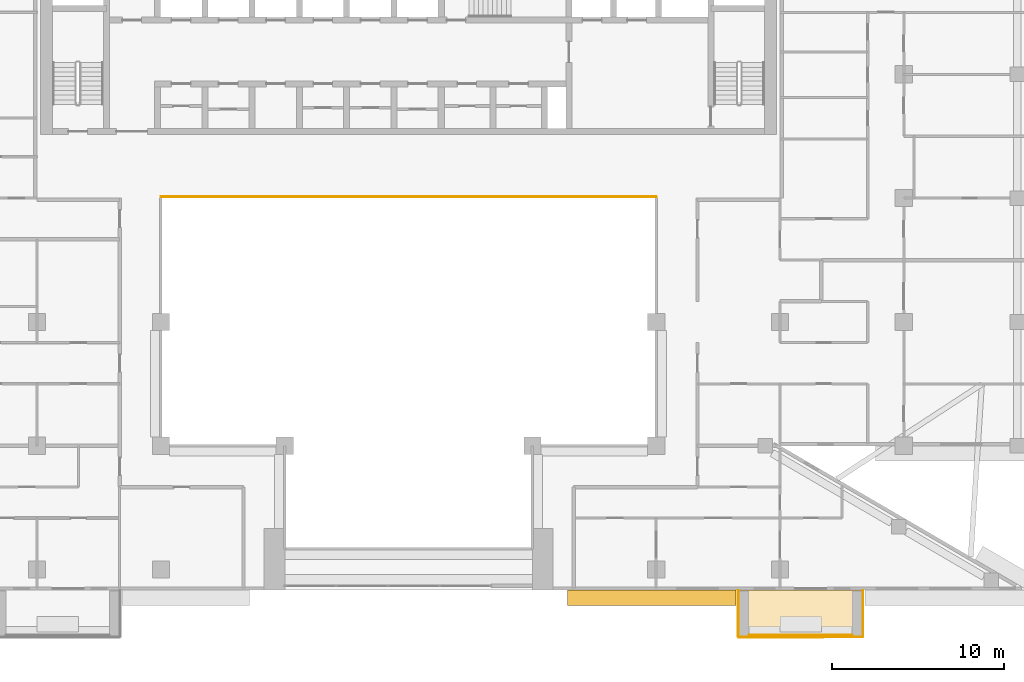
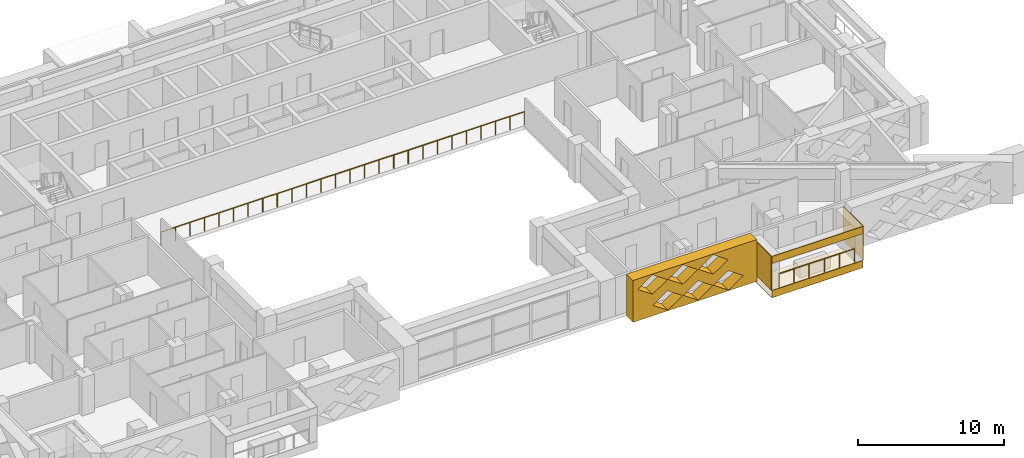
# One storey, part 16 of 20: 6 coverings, 2 railings.
"""IFC4 building model written with IfcOpenShell, lengths in metres."""

from ifc_helpers import new_model, si_unit, direction, frame, origin, origin_2d, place, context, subcontext, project, spatial, polyline, circle, outline, extrude, material, layer, layer_set, type_object, element, save


model = new_model("IFC4")

# Units and contexts
model_context = context("Model", 3, precision=1e-05, world=origin(), true_north=direction((0.0, 1.0)))
body_context = subcontext(model_context, "Body", "Model", "MODEL_VIEW")
ifc_project = project(units=[si_unit("LENGTHUNIT", "METRE"), si_unit("AREAUNIT", "SQUARE_METRE"), si_unit("VOLUMEUNIT", "CUBIC_METRE"), si_unit("PLANEANGLEUNIT", "RADIAN"), si_unit("MASSUNIT", "GRAM", prefix="KILO")], contexts=[model_context])

# Site, building, storey
site_placement = place(None, origin())
site = spatial("IfcSite", under=ifc_project, at=site_placement, CompositionType="ELEMENT")
building_placement = place(site_placement, origin())
building = spatial("IfcBuilding", under=site, at=building_placement, Name="Saffron Iwan Residences", CompositionType="ELEMENT")
storey_placement = place(building_placement, frame((0.0, 0.0, 146.5)))
storey = spatial("IfcBuildingStorey", under=building, at=storey_placement, Name="L38", CompositionType="ELEMENT", Elevation=146.5)

# Railings
ifc_material_1 = material(Name="Stainless steel 316", Category="steel")
railing_type_1 = type_object("IfcRailingType", Name="Atrium guard 1150", PredefinedType="GUARDRAIL", material=ifc_material_1)
railing_1_placement = place(storey_placement, frame((36.0, 62.47509765625, 0.0)))
element("IfcRailing", 1, at=railing_1_placement, inside=storey, type_object=railing_type_1, Name="Atrium guard L38", PredefinedType="GUARDRAIL", context=body_context, shape_type="SweptSolid", body=[
    extrude(circle(Radius=0.02392578125, at=origin_2d()), frame((0.0, 0.0, 1.1259765625), z_axis=(1.0, 0.0, 0.0), x_axis=(0.0, 1.0, 0.0)), (0.0, 0.0, 1.0), 28.800048828125),
    extrude(circle(Radius=0.02099609375, at=origin_2d()), origin(), (0.0, 0.0, 1.0), 1.101806640625),
    extrude(circle(Radius=0.02099609375, at=origin_2d()), frame((1.152099609375, 0.0, 0.0)), (0.0, 0.0, 1.0), 1.101806640625),
    extrude(circle(Radius=0.02099609375, at=origin_2d()), frame((2.303955078125, 0.0, 0.0)), (0.0, 0.0, 1.0), 1.101806640625),
    extrude(circle(Radius=0.02099609375, at=origin_2d()), frame((3.4560546875, 0.0, 0.0)), (0.0, 0.0, 1.0), 1.101806640625),
    extrude(circle(Radius=0.02099609375, at=origin_2d()), frame((4.60791015625, 0.0, 0.0)), (0.0, 0.0, 1.0), 1.101806640625),
    extrude(circle(Radius=0.02099609375, at=origin_2d()), frame((5.760009765625, 0.0, 0.0)), (0.0, 0.0, 1.0), 1.101806640625),
    extrude(circle(Radius=0.02099609375, at=origin_2d()), frame((6.912109375, 0.0, 0.0)), (0.0, 0.0, 1.0), 1.101806640625),
    extrude(circle(Radius=0.02099609375, at=origin_2d()), frame((8.06396484375, 0.0, 0.0)), (0.0, 0.0, 1.0), 1.101806640625),
    extrude(circle(Radius=0.02099609375, at=origin_2d()), frame((9.216064453125, 0.0, 0.0)), (0.0, 0.0, 1.0), 1.101806640625),
    extrude(circle(Radius=0.02099609375, at=origin_2d()), frame((10.367919921875, 0.0, 0.0)), (0.0, 0.0, 1.0), 1.101806640625),
    extrude(circle(Radius=0.02099609375, at=origin_2d()), frame((11.52001953125, 0.0, 0.0)), (0.0, 0.0, 1.0), 1.101806640625),
    extrude(circle(Radius=0.02099609375, at=origin_2d()), frame((12.672119140625, 0.0, 0.0)), (0.0, 0.0, 1.0), 1.101806640625),
    extrude(circle(Radius=0.02099609375, at=origin_2d()), frame((13.823974609375, 0.0, 0.0)), (0.0, 0.0, 1.0), 1.101806640625),
    extrude(circle(Radius=0.02099609375, at=origin_2d()), frame((14.97607421875, 0.0, 0.0)), (0.0, 0.0, 1.0), 1.101806640625),
    extrude(circle(Radius=0.02099609375, at=origin_2d()), frame((16.1279296875, 0.0, 0.0)), (0.0, 0.0, 1.0), 1.101806640625),
    extrude(circle(Radius=0.02099609375, at=origin_2d()), frame((17.280029296875, 0.0, 0.0)), (0.0, 0.0, 1.0), 1.101806640625),
    extrude(circle(Radius=0.02099609375, at=origin_2d()), frame((18.43212890625, 0.0, 0.0)), (0.0, 0.0, 1.0), 1.101806640625),
    extrude(circle(Radius=0.02099609375, at=origin_2d()), frame((19.583984375, 0.0, 0.0)), (0.0, 0.0, 1.0), 1.101806640625),
    extrude(circle(Radius=0.02099609375, at=origin_2d()), frame((20.736083984375, 0.0, 0.0)), (0.0, 0.0, 1.0), 1.101806640625),
    extrude(circle(Radius=0.02099609375, at=origin_2d()), frame((21.887939453125, 0.0, 0.0)), (0.0, 0.0, 1.0), 1.101806640625),
    extrude(circle(Radius=0.02099609375, at=origin_2d()), frame((23.0400390625, 0.0, 0.0)), (0.0, 0.0, 1.0), 1.101806640625),
    extrude(circle(Radius=0.02099609375, at=origin_2d()), frame((24.192138671875, 0.0, 0.0)), (0.0, 0.0, 1.0), 1.101806640625),
    extrude(circle(Radius=0.02099609375, at=origin_2d()), frame((25.343994140625, 0.0, 0.0)), (0.0, 0.0, 1.0), 1.101806640625),
    extrude(circle(Radius=0.02099609375, at=origin_2d()), frame((26.49609375, 0.0, 0.0)), (0.0, 0.0, 1.0), 1.101806640625),
    extrude(circle(Radius=0.02099609375, at=origin_2d()), frame((27.64794921875, 0.0, 0.0)), (0.0, 0.0, 1.0), 1.101806640625),
    extrude(circle(Radius=0.02099609375, at=origin_2d()), frame((28.800048828125, 0.0, 0.0)), (0.0, 0.0, 1.0), 1.101806640625),
])
railing_type_2 = type_object("IfcRailingType", Name="BALCONY GUARD 1150", PredefinedType="GUARDRAIL", material=ifc_material_1)
railing_2_placement = place(storey_placement, frame((70.199951171875, 36.97509765625, 0.0)))
element("IfcRailing", 2, at=railing_2_placement, inside=storey, type_object=railing_type_2, Name="Balcony guard L38 11-1", PredefinedType="GUARDRAIL", context=body_context, shape_type="SweptSolid", body=[
    extrude(circle(Radius=0.02392578125, at=origin_2d()), frame((0.0, 0.0, 1.1259765625), z_axis=(1.0, 0.0, 0.0), x_axis=(0.0, 1.0, 0.0)), (0.0, 0.0, 1.0), 6.0),
    extrude(circle(Radius=0.02099609375, at=origin_2d()), origin(), (0.0, 0.0, 1.0), 1.101806640625),
    extrude(circle(Radius=0.02099609375, at=origin_2d()), frame((1.199951171875, 0.0, 0.0)), (0.0, 0.0, 1.0), 1.101806640625),
    extrude(circle(Radius=0.02099609375, at=origin_2d()), frame((2.39990234375, 0.0, 0.0)), (0.0, 0.0, 1.0), 1.101806640625),
    extrude(circle(Radius=0.02099609375, at=origin_2d()), frame((3.60009765625, 0.0, 0.0)), (0.0, 0.0, 1.0), 1.101806640625),
    extrude(circle(Radius=0.02099609375, at=origin_2d()), frame((4.800048828125, 0.0, 0.0)), (0.0, 0.0, 1.0), 1.101806640625),
    extrude(circle(Radius=0.02099609375, at=origin_2d()), frame((6.0, 0.0, 0.0)), (0.0, 0.0, 1.0), 1.101806640625),
])

# Coverings
ifc_material_2 = material(Name="Precast concrete C40/50 white painted", Category="concrete")
ifc_layer = layer(ifc_material_2, 0.050048828125)
ifc_layer_set = layer_set([ifc_layer], Name="Precast concrete C40/50 white painted")
covering_type_1 = type_object("IfcCoveringType", Name="FRAME SKIN PRECAST WHITE 50", PredefinedType="CLADDING", material=ifc_layer_set)
for number, where, name in (
    (3, (0.0, 0.0, -0.60009765625), "Frame skin slab edge L38 11-1"),
    (4, (0.0, 0.0, 2.25), "Frame skin fascia L38 11-1"),
):
    element("IfcCovering", number, at=place(storey_placement, frame(where)), inside=storey, type_object=covering_type_1, Name=name, PredefinedType="CLADDING", context=body_context, shape_type="SweptSolid", body=[
        extrude(outline(polyline([(69.60009765625, 36.85009765625), (76.800048828125, 36.85009765625), (76.800048828125, 36.89990234375), (69.60009765625, 36.89990234375), (69.60009765625, 36.85009765625)])), origin(), (0.0, 0.0, 1.0), 0.60009765625),
    ])
covering_1_placement = place(storey_placement, frame((0.0, 0.0, -0.64990234375)))
element("IfcCovering", 5, at=covering_1_placement, inside=storey, type_object=covering_type_1, Name="Frame skin soffit L38 11-1", PredefinedType="CLADDING", context=body_context, shape_type="SweptSolid", body=[
    extrude(outline(polyline([(69.60009765625, 36.89990234375), (76.800048828125, 36.89990234375), (76.800048828125, 39.60009765625), (69.60009765625, 39.60009765625), (69.60009765625, 36.89990234375)])), origin(), (0.0, 0.0, 1.0), 0.0498046875),
])
covering_2_placement = place(storey_placement, origin())
element("IfcCovering", 6, at=covering_2_placement, inside=storey, type_object=covering_type_1, Name="Frame skin fin L38 11-1a", PredefinedType="CLADDING", context=body_context, shape_type="SweptSolid", body=[
    extrude(outline(polyline([(69.550048828125, 36.89990234375), (69.60009765625, 36.89990234375), (69.60009765625, 39.60009765625), (69.550048828125, 39.60009765625), (69.550048828125, 36.89990234375)])), origin(), (0.0, 0.0, 1.0), 2.85009765625),
])
covering_3_placement = place(storey_placement, origin())
element("IfcCovering", 7, at=covering_3_placement, inside=storey, type_object=covering_type_1, Name="Frame skin fin L38 11-1b", PredefinedType="CLADDING", context=body_context, shape_type="SweptSolid", body=[
    extrude(outline(polyline([(76.800048828125, 36.89990234375), (76.85009765625, 36.89990234375), (76.85009765625, 39.60009765625), (76.800048828125, 39.60009765625), (76.800048828125, 36.89990234375)])), origin(), (0.0, 0.0, 1.0), 2.85009765625),
])
ifc_material_3 = material(Name="Precast concrete C40/50", Category="concrete")
covering_type_2 = type_object("IfcCoveringType", Name="OUTER SKIN LATTICE SCREEN", PredefinedType="CLADDING", material=ifc_material_3)
covering_4_placement = place(storey_placement, frame((59.64990234375, 39.60009765625, -0.300048828125), z_axis=(0.0, -1.0, 0.0), x_axis=(1.0, 0.0, 0.0)))
element("IfcCovering", 8, at=covering_4_placement, inside=storey, type_object=covering_type_2, Name="OUTER SKIN lattice screen L38 F11.2", PredefinedType="CLADDING", context=body_context, shape_type="SweptSolid", body=[
    extrude(outline(polyline([(0.0, 0.0), (9.800048828125, 0.0), (9.800048828125, 3.5), (0.0, 3.5), (0.0, 0.0)]), holes=[polyline([(1.570068359375, 0.875), (2.75, 0.06005859375), (3.929931640625, 0.875), (2.75, 1.68994140625), (1.570068359375, 0.875)]), polyline([(3.969970703125, 0.875), (5.14990234375, 0.06005859375), (6.330078125, 0.875), (5.14990234375, 1.68994140625), (3.969970703125, 0.875)]), polyline([(6.3701171875, 0.875), (7.550048828125, 0.06005859375), (8.72998046875, 0.875), (7.550048828125, 1.68994140625), (6.3701171875, 0.875)]), polyline([(0.3701171875, 2.625), (1.550048828125, 1.81005859375), (2.72998046875, 2.625), (1.550048828125, 3.43994140625), (0.3701171875, 2.625)]), polyline([(2.77001953125, 2.625), (3.949951171875, 1.81005859375), (5.1298828125, 2.625), (3.949951171875, 3.43994140625), (2.77001953125, 2.625)]), polyline([(5.169921875, 2.625), (6.35009765625, 1.81005859375), (7.530029296875, 2.625), (6.35009765625, 3.43994140625), (5.169921875, 2.625)])]), origin(), (0.0, 0.0, 1.0), 0.900146484375),
])

save(model, "model.ifc")
